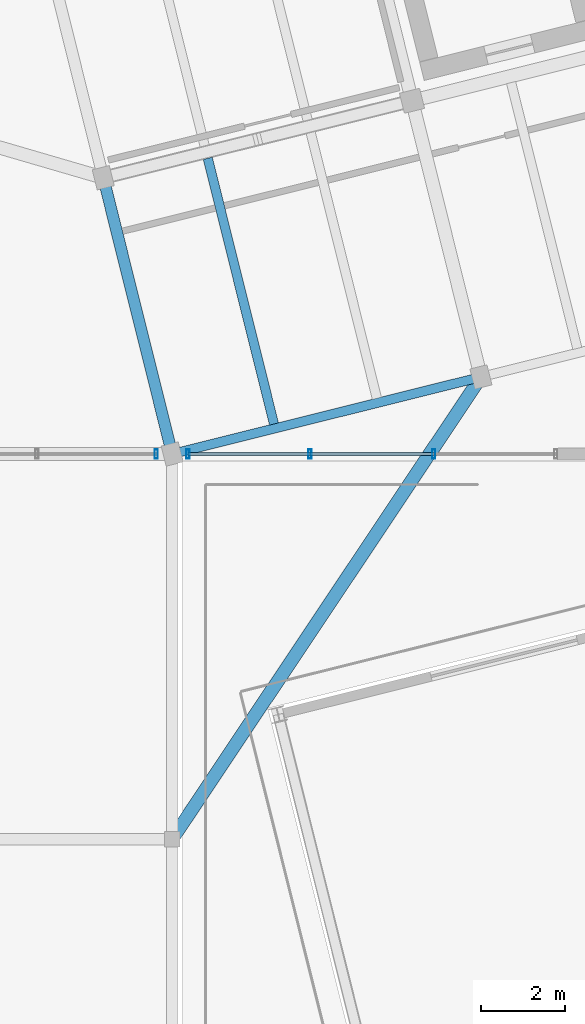
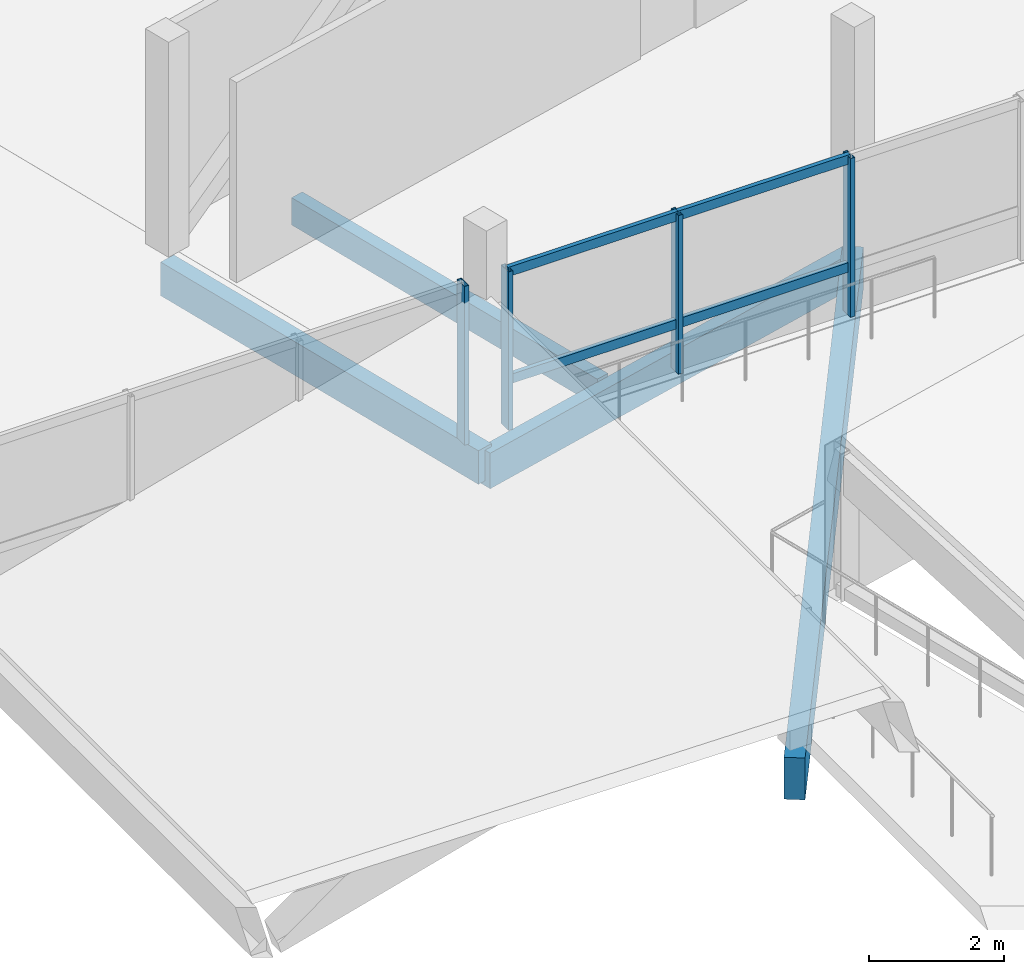
# One storey, part 8 of 39: 8 members, 4 beams, 2 elements without a shape of their own.
"""IFC4 building model written with IfcOpenShell, lengths in metres."""

from ifc_helpers import new_model, si_unit, direction, frame, origin, origin_2d, place, context, subcontext, project, spatial, rectangle, hollow_rectangle, extrude, material, layer, layer_set, material_profile, profile_set, type_object, element, aggregate, save


model = new_model("IFC4")

# Units and contexts
model_context = context("Model", 3, precision=1e-05, world=origin(), true_north=direction((0.0, 1.0)))
body_context = subcontext(model_context, "Body", "Model", "MODEL_VIEW")
ifc_project = project(units=[si_unit("LENGTHUNIT", "METRE"), si_unit("AREAUNIT", "SQUARE_METRE"), si_unit("VOLUMEUNIT", "CUBIC_METRE"), si_unit("PLANEANGLEUNIT", "RADIAN"), si_unit("MASSUNIT", "GRAM", prefix="KILO")], contexts=[model_context])

# Site, building, storey
site_placement = place(None, origin())
site = spatial("IfcSite", under=ifc_project, at=site_placement, CompositionType="ELEMENT")
building_placement = place(site_placement, origin())
building = spatial("IfcBuilding", under=site, at=building_placement, Name="Meriwether Solvik Hall", CompositionType="ELEMENT")
storey_placement = place(building_placement, frame((0.0, 0.0, 22.199951171875)))
storey = spatial("IfcBuildingStorey", under=building, at=storey_placement, Name="L05", CompositionType="ELEMENT", Elevation=22.199951171875)

# Beams
ifc_material_1 = material(Name="Glulam Douglas-Fir 24F-V8 GL28h", Category="wood")
ifc_material_profile_1 = material_profile(ifc_material_1, rectangle(XDim=0.221923828125, YDim=0.64501953125, at=origin_2d()), Name="GLB-222X645")
ifc_profile_set_1 = profile_set([ifc_material_profile_1], Name="Glulam Douglas-Fir 24F-V8 GL28h")
beam_type_1 = type_object("IfcBeamType", Name="BM-GL-222X645", PredefinedType="SPANDREL", material=ifc_profile_set_1)
beam_1_placement = place(storey_placement, frame((68.60009765625, 41.199951171875, -0.62255859375), z_axis=(0.970295366785, 0.241923337436, 0.0), x_axis=(-0.241923337436, 0.970295366785, 0.0)))
element("IfcBeam", 1, at=beam_1_placement, inside=storey, type_object=beam_type_1, Name="Tower Girder TA:T1-T2 (L05)", PredefinedType="SPANDREL", context=body_context, shape_type="SweptSolid", body=[
    extrude(rectangle(XDim=0.221923828125, YDim=0.64501953125, at=origin_2d()), origin(), (0.0, 0.0, 1.0), 7.60009765625),
])
ifc_material_2 = material(Name="Glulam Douglas-Fir 24F-V8 GL28h", Category="wood")
ifc_material_profile_2 = material_profile(ifc_material_2, rectangle(XDim=0.27294921875, YDim=0.610107421875, at=origin_2d()), Name="GLB-273X610")
ifc_profile_set_2 = profile_set([ifc_material_profile_2], Name="Glulam Douglas-Fir 24F-V8 GL28h")
beam_type_2 = type_object("IfcBeamType", Name="BM-GL-273X610", PredefinedType="SPANDREL", material=ifc_profile_set_2)
beam_2_placement = place(storey_placement, frame((68.60009765625, 41.199951171875, -0.550048828125), z_axis=(-0.241944251278, 0.970290152106, 0.0), x_axis=(-0.970290152106, -0.241944251278, 0.0)))
element("IfcBeam", 2, at=beam_2_placement, inside=storey, type_object=beam_type_2, Name="Tower Girder T1:TA-TB (L05)", PredefinedType="SPANDREL", context=body_context, shape_type="SweptSolid", body=[
    extrude(rectangle(XDim=0.27294921875, YDim=0.610107421875, at=origin_2d()), origin(), (0.0, 0.0, 1.0), 6.80029296875),
])
ifc_material_3 = material(Name="Glulam Douglas-Fir 24F-V8 GL28h", Category="wood")
ifc_material_profile_3 = material_profile(ifc_material_3, rectangle(XDim=0.31494140625, YDim=0.760009765625, at=origin_2d()), Name="GLB-315X760")
ifc_profile_set_3 = profile_set([ifc_material_profile_3], Name="Glulam Douglas-Fir 24F-V8 GL28h")
beam_type_3 = type_object("IfcBeamType", Name="BM-GL-315X760", PredefinedType="BEAM", material=ifc_profile_set_3)
beam_3_placement = place(storey_placement, frame((75.974365234375, 43.03857421875, -0.679931640625), z_axis=(-0.555493576882, -0.831520827185, 0.0), x_axis=(0.831520827185, -0.555493576882, 0.0)))
element("IfcBeam", 3, at=beam_3_placement, inside=storey, type_object=beam_type_3, Name="Diaphragm Collector Girder T2/TA-8/D (L05)", PredefinedType="BEAM", context=body_context, shape_type="SweptSolid", body=[
    extrude(rectangle(XDim=0.31494140625, YDim=0.760009765625, at=origin_2d()), origin(), (0.0, 0.0, 1.0), 13.275146484375),
])

# Curtain wall, member
ifc_material_4 = material(Name="Thermally Broken Anodised Aluminium 6063-T6 and Low-E Glass", Category="aluminium")
ifc_layer = layer(ifc_material_4, 0.179931640625)
ifc_layer_set = layer_set([ifc_layer], Name="Thermally Broken Anodised Aluminium 6063-T6 and Low-E Glass")
curtain_wall_type = type_object("IfcCurtainWallType", Name="CW-UNIT-E", PredefinedType="USERDEFINED", material=ifc_layer_set)
curtain_wall_1_placement = place(storey_placement, origin())
curtain_wall_1 = element("IfcCurtainWall", 4, at=curtain_wall_1_placement, inside=storey, type_object=curtain_wall_type, Name="Curtain Wall wing_XE_7_0 (L05)", ObjectType="UNITISED CURTAIN WALL", PredefinedType="USERDEFINED")
ifc_material_5 = material(Name="Anodised Aluminium 6063-T6", Category="aluminium")
ifc_material_profile_4 = material_profile(ifc_material_5, hollow_rectangle(XDim=0.074951171875, YDim=0.219970703125, WallThickness=0.005615234375, at=origin_2d()), Name="CWM-75X220")
ifc_profile_set_4 = profile_set([ifc_material_profile_4], Name="Anodised Aluminium 6063-T6")
member_type_1 = type_object("IfcMemberType", Name="CW-MUL-75X220", PredefinedType="MULLION", material=ifc_profile_set_4)
member_1_placement = place(storey_placement, frame((68.221923828125, 41.199951171875, 0.0), z_axis=(0.0, 0.0, 1.0), x_axis=(-1.0, 0.0, 0.0)))
member_1 = element("IfcMember", 5, at=member_1_placement, type_object=member_type_1, Name="Curtain Wall Mullion 1", PredefinedType="MULLION", context=body_context, shape_type="SweptSolid", body=[
    extrude(hollow_rectangle(XDim=0.074951171875, YDim=0.219970703125, WallThickness=0.005615234375, at=origin_2d()), origin(), (0.0, 0.0, 1.0), 2.880126953125),
])
aggregate(curtain_wall_1, [member_1])

# Curtain wall, members
curtain_wall_2_placement = place(storey_placement, origin())
curtain_wall_2 = element("IfcCurtainWall", 6, at=curtain_wall_2_placement, inside=storey, type_object=curtain_wall_type, Name="Curtain Wall wing_XE_8_1 (L05)", ObjectType="UNITISED CURTAIN WALL", PredefinedType="USERDEFINED")
member_2_placement = place(storey_placement, frame((74.8466796875, 41.199951171875, 0.0), z_axis=(0.0, 0.0, 1.0), x_axis=(-1.0, 0.0, 0.0)))
member_2 = element("IfcMember", 7, at=member_2_placement, type_object=member_type_1, Name="Curtain Wall Mullion 2", PredefinedType="MULLION", context=body_context, shape_type="SweptSolid", body=[
    extrude(hollow_rectangle(XDim=0.074951171875, YDim=0.219970703125, WallThickness=0.005615234375, at=origin_2d()), origin(), (0.0, 0.0, 1.0), 2.880126953125),
])
member_3_placement = place(storey_placement, frame((71.893310546875, 41.199951171875, 0.0), z_axis=(0.0, 0.0, 1.0), x_axis=(-1.0, 0.0, 0.0)))
member_3 = element("IfcMember", 8, at=member_3_placement, type_object=member_type_1, Name="Curtain Wall Mullion 3", PredefinedType="MULLION", context=body_context, shape_type="SweptSolid", body=[
    extrude(hollow_rectangle(XDim=0.074951171875, YDim=0.219970703125, WallThickness=0.005615234375, at=origin_2d()), origin(), (0.0, 0.0, 1.0), 2.880126953125),
])
member_4_placement = place(storey_placement, frame((68.97802734375, 41.199951171875, 0.0), z_axis=(0.0, 0.0, 1.0), x_axis=(-1.0, 0.0, 0.0)))
member_4 = element("IfcMember", 9, at=member_4_placement, type_object=member_type_1, Name="Curtain Wall Mullion 4", PredefinedType="MULLION", context=body_context, shape_type="SweptSolid", body=[
    extrude(hollow_rectangle(XDim=0.074951171875, YDim=0.219970703125, WallThickness=0.005615234375, at=origin_2d()), origin(), (0.0, 0.0, 1.0), 2.880126953125),
])
ifc_material_6 = material(Name="Anodised Aluminium 6063-T6", Category="aluminium")
ifc_material_profile_5 = material_profile(ifc_material_6, hollow_rectangle(XDim=0.074951171875, YDim=0.169921875, WallThickness=0.005615234375, at=origin_2d()), Name="CWT-75X170")
ifc_profile_set_5 = profile_set([ifc_material_profile_5], Name="Anodised Aluminium 6063-T6")
member_type_2 = type_object("IfcMemberType", Name="CW-TRN-75X170", PredefinedType="USERDEFINED", material=ifc_profile_set_5)
member_5_placement = place(storey_placement, frame((74.8466796875, 41.199951171875, 0.864013671875), z_axis=(-1.0, 0.0, 0.0), x_axis=(0.0, -1.0, 0.0)))
member_5 = element("IfcMember", 10, at=member_5_placement, type_object=member_type_2, Name="Curtain Wall Transom 2-sill", ObjectType="TRANSOM", PredefinedType="USERDEFINED", context=body_context, shape_type="SweptSolid", body=[
    extrude(hollow_rectangle(XDim=0.074951171875, YDim=0.169921875, WallThickness=0.005615234375, at=origin_2d()), origin(), (0.0, 0.0, 1.0), 2.953369140625),
])
member_6_placement = place(storey_placement, frame((74.8466796875, 41.199951171875, 2.820068359375), z_axis=(-1.0, 0.0, 0.0), x_axis=(0.0, -1.0, 0.0)))
member_6 = element("IfcMember", 11, at=member_6_placement, type_object=member_type_2, Name="Curtain Wall Transom 2-head", ObjectType="TRANSOM", PredefinedType="USERDEFINED", context=body_context, shape_type="SweptSolid", body=[
    extrude(hollow_rectangle(XDim=0.074951171875, YDim=0.169921875, WallThickness=0.005615234375, at=origin_2d()), origin(), (0.0, 0.0, 1.0), 2.953369140625),
])
member_7_placement = place(storey_placement, frame((71.893310546875, 41.199951171875, 0.864013671875), z_axis=(-1.0, 0.0, 0.0), x_axis=(0.0, -1.0, 0.0)))
member_7 = element("IfcMember", 12, at=member_7_placement, type_object=member_type_2, Name="Curtain Wall Transom 3-sill", ObjectType="TRANSOM", PredefinedType="USERDEFINED", context=body_context, shape_type="SweptSolid", body=[
    extrude(hollow_rectangle(XDim=0.074951171875, YDim=0.169921875, WallThickness=0.005615234375, at=origin_2d()), origin(), (0.0, 0.0, 1.0), 2.915283203125),
])
member_8_placement = place(storey_placement, frame((71.893310546875, 41.199951171875, 2.820068359375), z_axis=(-1.0, 0.0, 0.0), x_axis=(0.0, -1.0, 0.0)))
member_8 = element("IfcMember", 13, at=member_8_placement, type_object=member_type_2, Name="Curtain Wall Transom 3-head", ObjectType="TRANSOM", PredefinedType="USERDEFINED", context=body_context, shape_type="SweptSolid", body=[
    extrude(hollow_rectangle(XDim=0.074951171875, YDim=0.169921875, WallThickness=0.005615234375, at=origin_2d()), origin(), (0.0, 0.0, 1.0), 2.915283203125),
])
aggregate(curtain_wall_2, [member_2, member_3, member_4, member_5, member_6, member_7, member_8])

# Beam
ifc_material_7 = material(Name="Glulam Douglas-Fir 24F-V8 GL28h", Category="wood")
ifc_material_profile_6 = material_profile(ifc_material_7, rectangle(XDim=0.221923828125, YDim=0.4951171875, at=origin_2d()), Name="GLJ-222X495")
ifc_profile_set_6 = profile_set([ifc_material_profile_6], Name="Glulam Douglas-Fir 24F-V8 GL28h")
beam_type_4 = type_object("IfcBeamType", Name="JST-GL-222X495", PredefinedType="JOIST", material=ifc_profile_set_6)
beam_4_placement = place(storey_placement, frame((71.032470703125, 41.915771484375, -0.492431640625), z_axis=(-0.241920861923, 0.970295984, 0.0), x_axis=(-0.970295984, -0.241920861923, 0.0)))
element("IfcBeam", 14, at=beam_4_placement, inside=storey, type_object=beam_type_4, Name="Glulam Floor Joist T1/TA-J1 (L05)", PredefinedType="JOIST", context=body_context, shape_type="SweptSolid", body=[
    extrude(rectangle(XDim=0.221923828125, YDim=0.4951171875, at=origin_2d()), origin(), (0.0, 0.0, 1.0), 6.54150390625),
])

save(model, "model.ifc")
